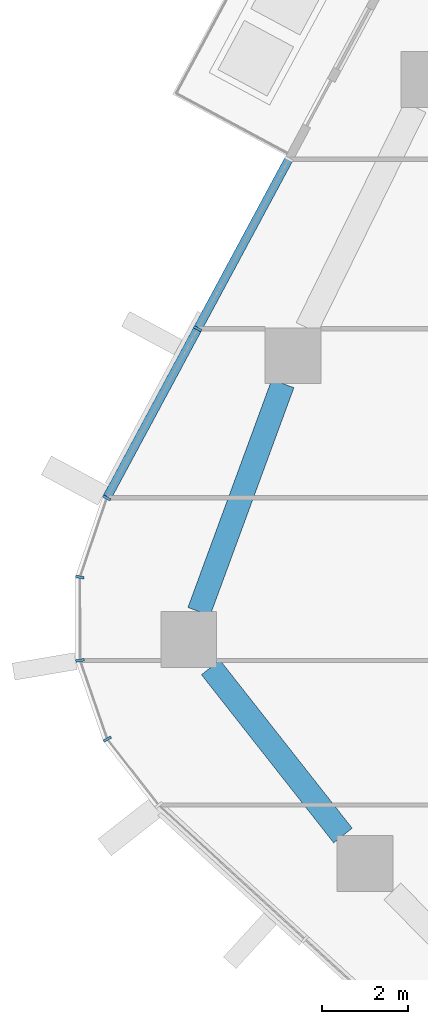
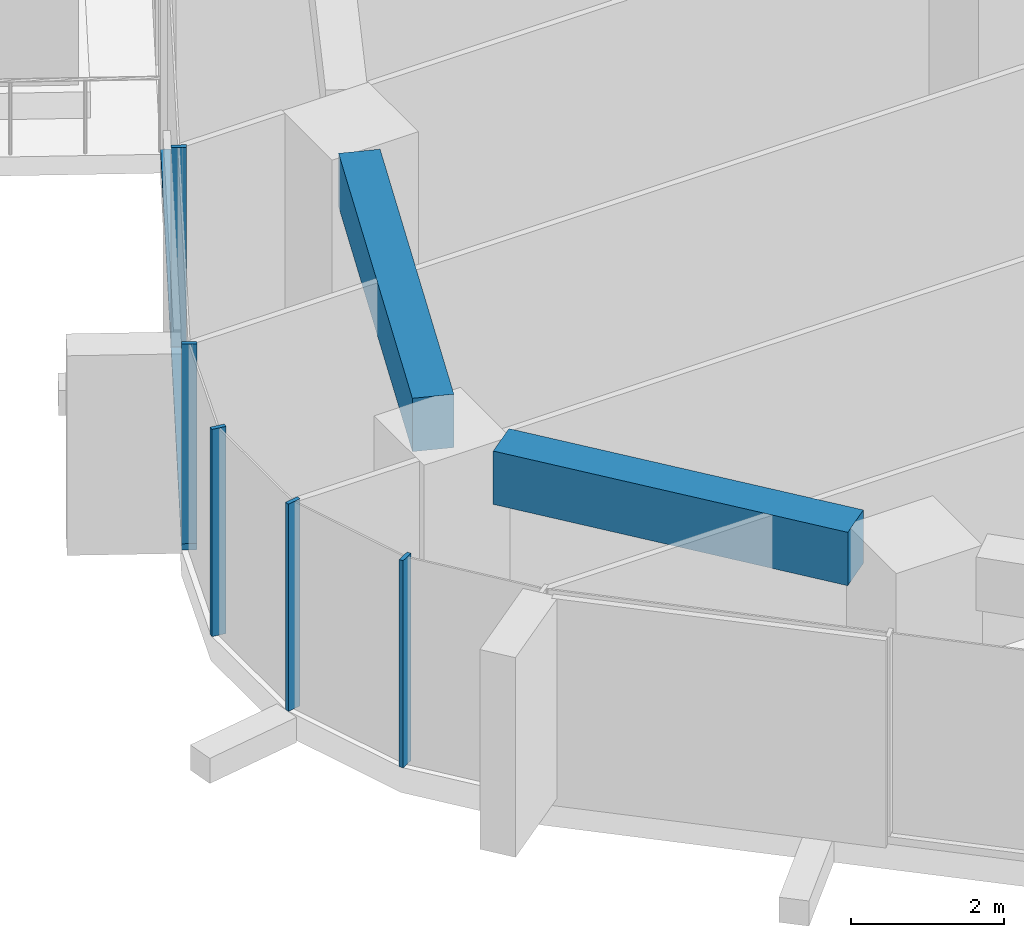
# One storey, part 3 of 24: 6 members, 2 beams, 2 elements without a shape of their own.
"""IFC4 building model written with IfcOpenShell, lengths in metres."""

from ifc_helpers import new_model, si_unit, direction, frame, origin, origin_2d, place, context, subcontext, project, spatial, rectangle, extrude, material, layer, layer_set, material_profile, profile_set, type_object, element, aggregate, save


model = new_model("IFC4")

# Units and contexts
model_context = context("Model", 3, precision=1e-05, world=origin(), true_north=direction((0.0, 1.0)))
body_context = subcontext(model_context, "Body", "Model", "MODEL_VIEW")
ifc_project = project(units=[si_unit("LENGTHUNIT", "METRE"), si_unit("AREAUNIT", "SQUARE_METRE"), si_unit("VOLUMEUNIT", "CUBIC_METRE"), si_unit("PLANEANGLEUNIT", "RADIAN"), si_unit("MASSUNIT", "GRAM", prefix="KILO")], contexts=[model_context])

# Site, building, storey
site_placement = place(None, origin())
site = spatial("IfcSite", under=ifc_project, at=site_placement, CompositionType="ELEMENT")
building_placement = place(site_placement, origin())
building = spatial("IfcBuilding", under=site, at=building_placement, Name="Dongbaek Canopy Tower", CompositionType="ELEMENT")
storey_placement = place(building_placement, frame((0.0, 0.0, 124.800048828125)))
storey = spatial("IfcBuildingStorey", under=building, at=storey_placement, Name="L27", CompositionType="ELEMENT", Elevation=124.800048828125)

# Curtain wall, members
ifc_material_1 = material(Name="Aluminium 6063-T6 pale anodised", Category="aluminium")
ifc_layer = layer(ifc_material_1, 0.199951171875)
ifc_layer_set = layer_set([ifc_layer], Name="CW-1 unitised tower curtain wall")
curtain_wall_type = type_object("IfcCurtainWallType", Name="CW-1 unitised tower curtain wall", PredefinedType="NOTDEFINED", material=ifc_layer_set)
curtain_wall_1_placement = place(storey_placement, origin())
curtain_wall_1 = element("IfcCurtainWall", 1, at=curtain_wall_1_placement, inside=storey, type_object=curtain_wall_type, Name="CW-1 curtain wall F2.1", PredefinedType="NOTDEFINED")
ifc_material_2 = material(Name="Aluminium 6063-T6 pale anodised", Category="aluminium")
ifc_material_profile_1 = material_profile(ifc_material_2, rectangle(XDim=0.199951171875, YDim=0.06005859375, at=origin_2d()), Name="CW-1 mullion 60 x 200")
ifc_profile_set_1 = profile_set([ifc_material_profile_1], Name="Aluminium 6063-T6 pale anodised")
member_type_1 = type_object("IfcMemberType", Name="CW-1 mullion 60 x 200", PredefinedType="MULLION", material=ifc_profile_set_1)
member_1_placement = place(storey_placement, frame((-29.91552734375, 0.711669921875, 0.119873046875), z_axis=(0.0, 0.0, 1.0), x_axis=(-0.880842802858, 0.473408868372, 0.0)))
member_1 = element("IfcMember", 2, at=member_1_placement, type_object=member_type_1, Name="CW-1 mullion F2.1.2", PredefinedType="MULLION", context=body_context, shape_type="SweptSolid", body=[
    extrude(rectangle(XDim=0.199951171875, YDim=0.06005859375, at=origin_2d()), origin(), (0.0, 0.0, 1.0), 3.18017578125),
])
member_2_placement = place(storey_placement, frame((-32.033447265625, -3.229248046875, 0.119873046875), z_axis=(0.0, 0.0, 1.0), x_axis=(-0.880842802858, 0.473408868372, 0.0)))
member_2 = element("IfcMember", 3, at=member_2_placement, type_object=member_type_1, Name="CW-1 mullion F2.1.3", PredefinedType="MULLION", context=body_context, shape_type="SweptSolid", body=[
    extrude(rectangle(XDim=0.199951171875, YDim=0.06005859375, at=origin_2d()), origin(), (0.0, 0.0, 1.0), 3.18017578125),
])

curtain_wall_2_placement = place(storey_placement, origin())
curtain_wall_2 = element("IfcCurtainWall", 4, at=curtain_wall_2_placement, inside=storey, type_object=curtain_wall_type, Name="CW-1 curtain wall K3.1", PredefinedType="NOTDEFINED")
member_3_placement = place(storey_placement, frame((-32.6611328125, -5.07373046875, 0.0), z_axis=(0.0, 0.0, 1.0), x_axis=(-0.986786712671, 0.162024639164, 0.0)))
member_3 = element("IfcMember", 5, at=member_3_placement, type_object=member_type_1, Name="CW-1 mullion K3.1.2", PredefinedType="MULLION", context=body_context, shape_type="SweptSolid", body=[
    extrude(rectangle(XDim=0.199951171875, YDim=0.06005859375, at=origin_2d()), origin(), (0.0, 0.0, 1.0), 3.300048828125),
])
member_4_placement = place(storey_placement, frame((-32.65625, -7.013916015625, 0.0), z_axis=(0.0, 0.0, 1.0), x_axis=(-0.985975841841, -0.16688810415, 0.0)))
member_4 = element("IfcMember", 6, at=member_4_placement, type_object=member_type_1, Name="CW-1 mullion K3.1.3", PredefinedType="MULLION", context=body_context, shape_type="SweptSolid", body=[
    extrude(rectangle(XDim=0.199951171875, YDim=0.06005859375, at=origin_2d()), origin(), (0.0, 0.0, 1.0), 3.300048828125),
])
member_5_placement = place(storey_placement, frame((-32.0224609375, -8.84765625, 0.0), z_axis=(0.0, 0.0, 1.0), x_axis=(-0.878497913812, -0.47774618306, 0.0)))
member_5 = element("IfcMember", 7, at=member_5_placement, type_object=member_type_1, Name="CW-1 mullion K3.1.4", PredefinedType="MULLION", context=body_context, shape_type="SweptSolid", body=[
    extrude(rectangle(XDim=0.199951171875, YDim=0.06005859375, at=origin_2d()), origin(), (0.0, 0.0, 1.0), 3.300048828125),
])
aggregate(curtain_wall_2, [member_3, member_4, member_5])

# Member
ifc_material_3 = material(Name="Aluminium 6063-T6 pale anodised", Category="aluminium")
ifc_material_profile_2 = material_profile(ifc_material_3, rectangle(XDim=0.199951171875, YDim=0.1201171875, at=origin_2d()), Name="CW-1 transom 120 x 200")
ifc_profile_set_2 = profile_set([ifc_material_profile_2], Name="Aluminium 6063-T6 pale anodised")
member_type_2 = type_object("IfcMemberType", Name="CW-1 transom 120 x 200", PredefinedType="USERDEFINED", material=ifc_profile_set_2)
member_6_placement = place(storey_placement, frame((-27.793701171875, 4.65966796875, 0.06005859375), z_axis=(-0.473395790362, -0.880849831508, 0.0), x_axis=(0.880849831508, -0.473395790362, 0.0)))
member_6 = element("IfcMember", 8, at=member_6_placement, type_object=member_type_2, Name="CW-1 transom F2.1.1", ObjectType="TRANSOM", PredefinedType="USERDEFINED", context=body_context, shape_type="SweptSolid", body=[
    extrude(rectangle(XDim=0.199951171875, YDim=0.1201171875, at=origin_2d()), origin(), (0.0, 0.0, 1.0), 8.9560546875),
])

aggregate(curtain_wall_1, [member_1, member_2, member_6])

# Beams
ifc_material_4 = material(Name="Concrete C80", Category="concrete")
ifc_material_profile_3 = material_profile(ifc_material_4, rectangle(XDim=0.550048828125, YDim=0.85009765625, at=origin_2d()), Name="RC EDGE BEAM 550x850 C80")
ifc_profile_set_3 = profile_set([ifc_material_profile_3], Name="Concrete C80")
beam_type = type_object("IfcBeamType", Name="RC EDGE BEAM 550x850 C80", PredefinedType="BEAM", material=ifc_profile_set_3)
beam_1_placement = place(storey_placement, frame((-26.532470703125, -11.093017578125, 2.875), z_axis=(-0.618340753303, 0.78591011751, 0.0), x_axis=(-0.78591011751, -0.618340753303, 0.0)))
element("IfcBeam", 9, at=beam_1_placement, inside=storey, type_object=beam_type, Name="EDGEBEAM:L27:07", PredefinedType="BEAM", context=body_context, shape_type="SweptSolid", body=[
    extrude(rectangle(XDim=0.550048828125, YDim=0.85009765625, at=origin_2d()), origin(), (0.0, 0.0, 1.0), 4.982666015625),
])
beam_2_placement = place(storey_placement, frame((-29.8857421875, -5.876953125, 2.875), z_axis=(0.345281407117, 0.938499200799, 0.0), x_axis=(-0.938499200799, 0.345281407117, 0.0)))
element("IfcBeam", 10, at=beam_2_placement, inside=storey, type_object=beam_type, Name="EDGEBEAM:L27:08", PredefinedType="BEAM", context=body_context, shape_type="SweptSolid", body=[
    extrude(rectangle(XDim=0.550048828125, YDim=0.85009765625, at=origin_2d()), origin(), (0.0, 0.0, 1.0), 5.657958984375),
])

save(model, "model.ifc")
